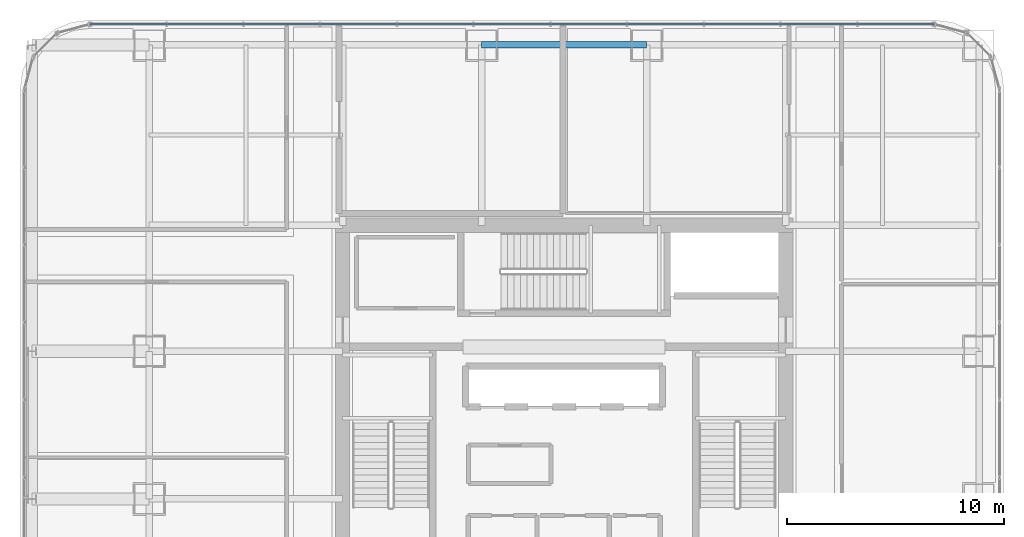
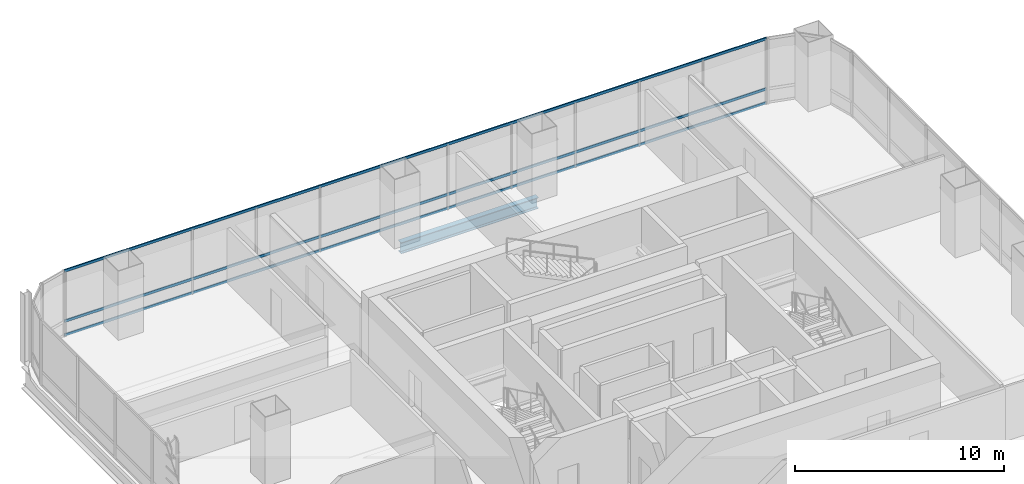
# One storey, part 23 of 36: 3 members, 1 beam, 1 element without a shape of its own.
"""IFC4 building model written with IfcOpenShell, lengths in metres."""

import ifcopenshell
import ifcopenshell.guid

model = None  # the IFC model being written
_history = None  # IfcOwnerHistory: only IFC2X3 demands one
_inside = {}  # id of a spatial element -> (the spatial element, [elements in it])
_under = {}  # id of a project, library or spatial element -> (it, [spatial elements below it])
_declared = {}  # id of a project -> (the project, [libraries it declares])
_typed = {}  # id of a type object -> (the type object, [elements of that type])
_made_of = {}  # id of a material, layer set ... -> (it, [elements and type objects made of it])


def new_model(schema):
    """Start an empty IFC model of exactly this schema.

    Asked for "IFC4X3", IfcOpenShell would pick the latest addendum, in which some entities
    have other attributes; the version numbers below select the first issue.
    IFC2X3 requires an IfcOwnerHistory on every rooted entity: one is made here for all.
    """
    global model, _history
    if schema == "IFC4X3":
        model = ifcopenshell.file(schema_version=(4, 3, 0, 0))
    else:
        model = ifcopenshell.file(schema=schema)
    _inside.clear()
    _under.clear()
    _declared.clear()
    _typed.clear()
    _made_of.clear()
    _history = None
    if model.schema == "IFC2X3":
        org = make("IfcOrganization", Name="unknown")
        user = make(
            "IfcPersonAndOrganization",
            ThePerson=make("IfcPerson", FamilyName="unknown"),
            TheOrganization=org,
        )
        app = make(
            "IfcApplication",
            ApplicationDeveloper=org,
            Version="unknown",
            ApplicationFullName="unknown",
            ApplicationIdentifier="unknown",
        )
        _history = make(
            "IfcOwnerHistory",
            OwningUser=user,
            OwningApplication=app,
            ChangeAction="ADDED",
            CreationDate=0,
        )
    return model


def make(cls, **values):
    """One entity of the class cls with the attributes given. An attribute that is None is left unset."""
    return model.create_entity(
        cls, **{name: value for name, value in values.items() if value is not None}
    )


def rooted(cls, **values):
    """An entity with a GlobalId (a new one), such as an element, a storey or a relation."""
    return make(cls, GlobalId=ifcopenshell.guid.new(), OwnerHistory=_history, **values)


def si_unit(unit_type, name, prefix=None):
    """IfcSIUnit, for example si_unit("LENGTHUNIT", "METRE", prefix="MILLI")."""
    return make("IfcSIUnit", UnitType=unit_type, Prefix=prefix, Name=name)


def assignment(units):
    """IfcUnitAssignment: the units of a project."""
    return None if units is None else make("IfcUnitAssignment", Units=units)


def point(xyz):
    """IfcCartesianPoint."""
    return None if xyz is None else make("IfcCartesianPoint", Coordinates=xyz)


def direction(xyz):
    """IfcDirection."""
    return None if xyz is None else make("IfcDirection", DirectionRatios=xyz)


def frame(location, z_axis=None, x_axis=None):
    """IfcAxis2Placement3D, a coordinate frame: its origin and axes. An axis left out is left unset."""
    return make(
        "IfcAxis2Placement3D",
        Location=point(location),
        Axis=direction(z_axis),
        RefDirection=direction(x_axis),
    )


def frame_2d(location, x_axis=None):
    """IfcAxis2Placement2D, a coordinate frame in the plane: its origin and x axis."""
    return make(
        "IfcAxis2Placement2D", Location=point(location), RefDirection=direction(x_axis)
    )


def origin():
    """The frame at (0, 0, 0) with its axes left unset."""
    return frame((0.0, 0.0, 0.0))


def origin_2d():
    """The frame at (0, 0) in the plane with its x axis left unset."""
    return frame_2d((0.0, 0.0))


def place(relative_to, where):
    """IfcLocalPlacement: puts the frame where relative to a parent placement (None: the world)."""
    return make(
        "IfcLocalPlacement", PlacementRelTo=relative_to, RelativePlacement=where
    )


def context(
    kind, dimensions, precision=None, world=None, true_north=None, identifier=None
):
    """IfcGeometricRepresentationContext, for example the 3D "Model" context."""
    return make(
        "IfcGeometricRepresentationContext",
        ContextIdentifier=identifier,
        ContextType=kind,
        CoordinateSpaceDimension=dimensions,
        Precision=precision,
        WorldCoordinateSystem=world,
        TrueNorth=true_north,
    )


def subcontext(parent, identifier, kind, view, scale=None):
    """IfcGeometricRepresentationSubContext, for example "Body" below "Model"."""
    return make(
        "IfcGeometricRepresentationSubContext",
        ContextIdentifier=identifier,
        ContextType=kind,
        ParentContext=parent,
        TargetScale=scale,
        TargetView=view,
    )


def project(units=None, contexts=None):
    """IfcProject with its units and contexts."""
    return rooted(
        "IfcProject",
        Name="project",
        RepresentationContexts=contexts,
        UnitsInContext=assignment(units),
    )


def spatial(cls, under=None, at=None, **own):
    """A site, building, storey or space (cls), placed at a placement, below another one or the project."""
    s = rooted(cls, ObjectPlacement=at, **own)
    if under is not None:
        _under.setdefault(under.id(), (under, []))[1].append(s)
    return s


def profile(cls, at=None, kind="AREA", **sizes):
    """A parametric profile (cls). Its sizes go by their IFC names, for example OverallWidth=200.0."""
    return make(cls, ProfileType=kind, Position=at, **sizes)


def hollow_rectangle(**sizes):
    """IfcRectangleHollowProfileDef."""
    return profile("IfcRectangleHollowProfileDef", **sizes)


def i_section(**sizes):
    """IfcIShapeProfileDef."""
    return profile("IfcIShapeProfileDef", **sizes)


def extrude(swept, where, along, depth):
    """IfcExtrudedAreaSolid: the profile swept, set in the frame where, extruded along a direction by depth."""
    return make(
        "IfcExtrudedAreaSolid",
        SweptArea=swept,
        Position=where,
        ExtrudedDirection=direction(along),
        Depth=depth,
    )


def shape(context_of_items, identifier, shape_type, items):
    """IfcShapeRepresentation: the items that make up one representation, for example the "Body"."""
    return make(
        "IfcShapeRepresentation",
        ContextOfItems=context_of_items,
        RepresentationIdentifier=identifier,
        RepresentationType=shape_type,
        Items=items,
    )


def material(Name=None, Category=None):
    """IfcMaterial."""
    return make("IfcMaterial", Name=Name, Category=Category)


def material_profile(
    of_material, cross_section, Name=None, Category=None, Priority=None
):
    """IfcMaterialProfile: a cross section and its material."""
    return make(
        "IfcMaterialProfile",
        Name=Name,
        Material=of_material,
        Profile=cross_section,
        Priority=Priority,
        Category=Category,
    )


def profile_set(profiles, Name=None, composite=None):
    """IfcMaterialProfileSet."""
    return make(
        "IfcMaterialProfileSet",
        Name=Name,
        MaterialProfiles=profiles,
        CompositeProfile=composite,
    )


def made_of(thing, what):
    """Note that an element or type object is made of a material, layer set ...; save() writes the relation."""
    if what is not None:
        _made_of.setdefault(what.id(), (what, []))[1].append(thing)
    return thing


def type_object(cls, material=None, **own):
    """A type object (cls), such as IfcWallType, which elements share."""
    return made_of(rooted(cls, **own), material)


def element(
    cls,
    number,
    at=None,
    inside=None,
    cuts=None,
    type_object=None,
    material=None,
    context=None,
    identifier="Body",
    shape_type=None,
    held_by="IfcProductDefinitionShape",
    body=None,
    shapes=None,
    **own,
):
    """One element of the class cls, such as IfcWall. Its Tag is "e" and its number.

    at: its placement. inside: the storey or other place that contains it. cuts: it is an
    opening in that element (IfcRelVoidsElement). A single representation is given by context,
    identifier, shape_type and body (its items); several are given by shapes. held_by: the class
    of the entity that holds the representations. save() writes the other relations.
    """
    e = rooted(cls, Tag="e%d" % number, ObjectPlacement=at, **own)
    if body is not None:
        shapes = [shape(context, identifier, shape_type, body)]
    if shapes is not None:
        e.Representation = make(held_by, Representations=shapes)
    if inside is not None:
        _inside.setdefault(inside.id(), (inside, []))[1].append(e)
    if cuts is not None:
        rooted(
            "IfcRelVoidsElement", RelatingBuildingElement=cuts, RelatedOpeningElement=e
        )
    if type_object is not None:
        _typed.setdefault(type_object.id(), (type_object, []))[1].append(e)
    return made_of(e, material)


def aggregate(whole, parts):
    """IfcRelAggregates: a whole, such as a stair, and the parts it consists of."""
    return rooted("IfcRelAggregates", RelatingObject=whole, RelatedObjects=parts)


def save(model, path):
    """Write the relations noted so far, then the file.

    IfcRelAggregates (storeys below a building ...), IfcRelContainedInSpatialStructure (elements
    in a storey), IfcRelDefinesByType, IfcRelAssociatesMaterial and IfcRelDeclares: one each for
    every whole, place, type object, material and project.
    """
    for whole, parts in _under.values():
        aggregate(whole, parts)
    for where, things in _inside.values():
        rooted(
            "IfcRelContainedInSpatialStructure",
            RelatedElements=things,
            RelatingStructure=where,
        )
    for kind, things in _typed.values():
        rooted("IfcRelDefinesByType", RelatedObjects=things, RelatingType=kind)
    for what, things in _made_of.values():
        rooted("IfcRelAssociatesMaterial", RelatedObjects=things, RelatingMaterial=what)
    for by, libraries in _declared.values():
        rooted("IfcRelDeclares", RelatingContext=by, RelatedDefinitions=libraries)
    model.write(path)


model = new_model("IFC4")

# Units and contexts
model_context = context("Model", 3, precision=1e-05, world=origin(), true_north=direction((0.0, 1.0)))
body_context = subcontext(model_context, "Body", "Model", "MODEL_VIEW")
ifc_project = project(units=[si_unit("LENGTHUNIT", "METRE"), si_unit("AREAUNIT", "SQUARE_METRE"), si_unit("VOLUMEUNIT", "CUBIC_METRE"), si_unit("PLANEANGLEUNIT", "RADIAN"), si_unit("MASSUNIT", "GRAM", prefix="KILO")], contexts=[model_context])

# Site, building, storey
site_placement = place(None, origin())
site = spatial("IfcSite", under=ifc_project, at=site_placement, CompositionType="ELEMENT")
building_placement = place(site_placement, origin())
building = spatial("IfcBuilding", under=site, at=building_placement, Name="Punatoya Terracotta Tower", CompositionType="ELEMENT")
storey_placement = place(building_placement, frame((0.0, 0.0, 184.35009765625)))
storey = spatial("IfcBuildingStorey", under=building, at=storey_placement, Name="L43", CompositionType="ELEMENT", Elevation=184.35009765625)

# Beam
ifc_material_1 = material(Name="Steel S355", Category="steel")
ifc_material_profile_1 = material_profile(ifc_material_1, i_section(OverallWidth=0.300048828125, OverallDepth=0.64990234375, WebThickness=0.01611328125, FlangeThickness=0.031005859375, FilletRadius=0.01806640625, at=origin_2d()))
ifc_profile_set_1 = profile_set([ifc_material_profile_1], Name="Steel S355")
beam_type = type_object("IfcBeamType", Name="BM-PRI-650", PredefinedType="BEAM", material=ifc_profile_set_1)
beam_placement = place(storey_placement, frame((-3.800048828125, 17.5, -0.545166015625), z_axis=(1.0, 0.0, 0.0), x_axis=(0.0, 1.0, 0.0)))
element("IfcBeam", 1, at=beam_placement, inside=storey, type_object=beam_type, Name="BM-L43-RG-N2", PredefinedType="BEAM", context=body_context, shape_type="SweptSolid", body=[
    extrude(i_section(OverallWidth=0.300048828125, OverallDepth=0.64990234375, WebThickness=0.01611328125, FlangeThickness=0.031005859375, FilletRadius=0.01806640625, at=origin_2d()), origin(), (0.0, 0.0, 1.0), 7.60009765625),
])

# Curtain wall, members
ifc_material_2 = material(Name="Aluminium 6063-T6 + Double Low-E Glass", Category="aluminium")
curtain_wall_type = type_object("IfcCurtainWallType", Name="CW-M2", PredefinedType="NOTDEFINED", material=ifc_material_2)
curtain_wall_placement = place(storey_placement, origin())
curtain_wall = element("IfcCurtainWall", 2, at=curtain_wall_placement, inside=storey, type_object=curtain_wall_type, Name="L43 Curtain Wall CW-L43-N09-1", PredefinedType="NOTDEFINED")
ifc_material_3 = material(Name="Aluminium 6063-T6", Category="aluminium")
ifc_material_profile_2 = material_profile(ifc_material_3, hollow_rectangle(XDim=0.068115234375, YDim=0.14990234375, WallThickness=0.00390625, at=origin_2d()))
ifc_profile_set_2 = profile_set([ifc_material_profile_2], Name="Aluminium 6063-T6")
member_type = type_object("IfcMemberType", Name="CW-TRN-TYP", PredefinedType="USERDEFINED", material=ifc_profile_set_2)
member_1_placement = place(storey_placement, frame((17.036865234375, 18.449951171875, 0.039794921875), z_axis=(-1.0, 0.0, 0.0), x_axis=(0.0, -1.0, 0.0)))
member_1 = element("IfcMember", 3, at=member_1_placement, type_object=member_type, Name="CW-L43-N09-1 Transom 1", ObjectType="TRANSOM", PredefinedType="USERDEFINED", context=body_context, shape_type="SweptSolid", body=[
    extrude(hollow_rectangle(XDim=0.068115234375, YDim=0.14990234375, WallThickness=0.00390625, at=origin_2d()), origin(), (0.0, 0.0, 1.0), 38.873779296875),
])
member_2_placement = place(storey_placement, frame((17.036865234375, 18.449951171875, 0.849853515625), z_axis=(-1.0, 0.0, 0.0), x_axis=(0.0, -1.0, 0.0)))
member_2 = element("IfcMember", 4, at=member_2_placement, type_object=member_type, Name="CW-L43-N09-1 Transom 2", ObjectType="TRANSOM", PredefinedType="USERDEFINED", context=body_context, shape_type="SweptSolid", body=[
    extrude(hollow_rectangle(XDim=0.068115234375, YDim=0.14990234375, WallThickness=0.00390625, at=origin_2d()), origin(), (0.0, 0.0, 1.0), 38.873779296875),
])
member_3_placement = place(storey_placement, frame((17.036865234375, 18.449951171875, 3.789794921875), z_axis=(-1.0, 0.0, 0.0), x_axis=(0.0, -1.0, 0.0)))
member_3 = element("IfcMember", 5, at=member_3_placement, type_object=member_type, Name="CW-L43-N09-1 Transom 3", ObjectType="TRANSOM", PredefinedType="USERDEFINED", context=body_context, shape_type="SweptSolid", body=[
    extrude(hollow_rectangle(XDim=0.068115234375, YDim=0.14990234375, WallThickness=0.00390625, at=origin_2d()), origin(), (0.0, 0.0, 1.0), 38.873779296875),
])
aggregate(curtain_wall, [member_1, member_2, member_3])

save(model, "model.ifc")
